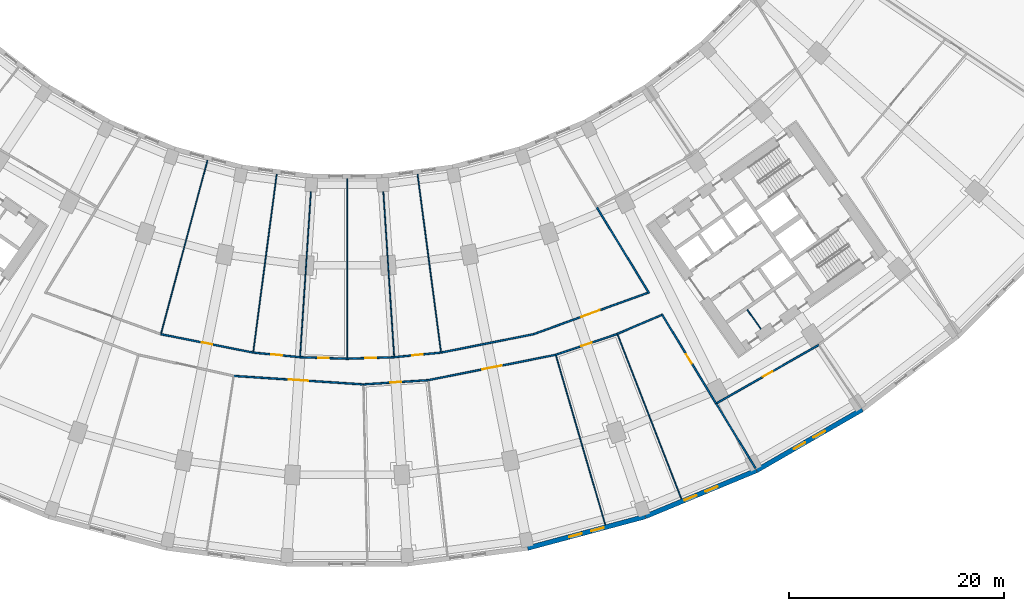
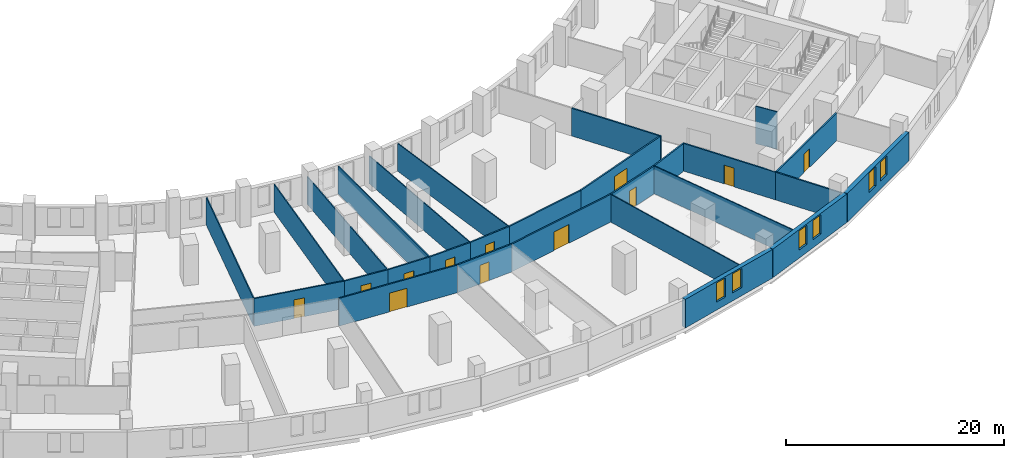
# One storey, part 9 of 19: 28 walls, 12 doors, 6 windows, 18 openings.
"""IFC4 building model written with IfcOpenShell, lengths in metres."""

from ifc_helpers import new_model, si_unit, direction, frame, frame_2d, origin, place, context, subcontext, project, spatial, rectangle, extrude, material, layer, layer_set, type_object, element, fill, save


model = new_model("IFC4")

# Units and contexts
model_context = context("Model", 3, precision=1e-05, world=origin(), true_north=direction((0.0, 1.0)))
body_context = subcontext(model_context, "Body", "Model", "MODEL_VIEW")
ifc_project = project(units=[si_unit("LENGTHUNIT", "METRE"), si_unit("AREAUNIT", "SQUARE_METRE"), si_unit("VOLUMEUNIT", "CUBIC_METRE"), si_unit("PLANEANGLEUNIT", "RADIAN"), si_unit("MASSUNIT", "GRAM", prefix="KILO")], contexts=[model_context])

# Site, building, storey
site_placement = place(None, origin())
site = spatial("IfcSite", under=ifc_project, at=site_placement, CompositionType="ELEMENT")
building_placement = place(site_placement, origin())
building = spatial("IfcBuilding", under=site, at=building_placement, Name="Qamariyya Broadcast Tower", CompositionType="ELEMENT")
storey_placement = place(building_placement, frame((0.0, 0.0, 36.0)))
storey = spatial("IfcBuildingStorey", under=building, at=storey_placement, Name="L05", CompositionType="ELEMENT", Elevation=36.0)

# Wall, opening, door
ifc_material_1 = material(Name="Gypsum board partition")
ifc_layer_1 = layer(ifc_material_1, 0.14990234375)
ifc_layer_set_1 = layer_set([ifc_layer_1], Name="Corridor partition 150 EI 60")
wall_type_1 = type_object("IfcWallType", Name="Corridor partition 150 EI 60", PredefinedType="PARTITIONING", material=ifc_layer_set_1)
wall_1_placement = place(storey_placement, frame((-17.2890625, -64.52392578125, 0.0), z_axis=(0.0, 0.0, 1.0), x_axis=(0.980786466832, -0.195084357342, 0.0)))
wall_1 = element("IfcWall", 1, at=wall_1_placement, inside=storey, type_object=wall_type_1, Name="Partition L05-024", PredefinedType="PARTITIONING", context=body_context, shape_type="SweptSolid", body=[
    extrude(rectangle(XDim=8.73779296875, YDim=0.14990234375, at=frame_2d((4.368896484375, 0.0))), origin(), (0.0, 0.0, 1.0), 3.10009765625),
])
opening_1_placement = place(wall_1_placement, frame((3.868896484375, 0.0, 0.0)))
opening_1 = element("IfcOpeningElement", 2, at=opening_1_placement, cuts=wall_1, Name="Opening L05-D09", PredefinedType="OPENING", context=body_context, shape_type="SweptSolid", body=[
    extrude(rectangle(XDim=1.0, YDim=2.10009765625, at=frame_2d((0.5, 1.050048828125))), frame((0.0, 0.0849609375, 0.0), z_axis=(0.0, -1.0, 0.0), x_axis=(1.0, 0.0, 0.0)), (0.0, 0.0, 1.0), 0.169921875),
])
ifc_material_2 = material(Name="Timber fire door leaf", Category="wood")
door_type_1 = type_object("IfcDoorType", Name="Fire door 1000 x 2100 FD60", OperationType="NOTDEFINED", PredefinedType="DOOR", material=ifc_material_2)
door_1_placement = place(opening_1_placement, origin())
door_1 = element("IfcDoor", 3, at=door_1_placement, inside=storey, type_object=door_type_1, Name="Door L05-D09", OperationType="SINGLE_SWING_RIGHT", OverallHeight=2.10009765625, OverallWidth=1.0, PredefinedType="DOOR", context=body_context, shape_type="SweptSolid", body=[
    extrude(rectangle(XDim=1.0, YDim=2.10009765625, at=frame_2d((0.5, 1.050048828125))), frame((0.0, 0.02490234375, 0.0), z_axis=(0.0, -1.0, 0.0), x_axis=(1.0, 0.0, 0.0)), (0.0, 0.0, 1.0), 0.050048828125),
])
fill(opening_1, door_1)

wall_2_placement = place(storey_placement, frame((1.511474609375, -69.18359375, 0.0), z_axis=(0.0, 0.0, 1.0), x_axis=(-0.997858140049, 0.065415077291, 0.0)))
wall_2 = element("IfcWall", 4, at=wall_2_placement, inside=storey, type_object=wall_type_1, Name="Partition L05-027", PredefinedType="PARTITIONING", context=body_context, shape_type="SweptSolid", body=[
    extrude(rectangle(XDim=12.066162109375, YDim=0.14990234375, at=frame_2d((6.033203125, 0.0))), origin(), (0.0, 0.0, 1.0), 3.10009765625),
])
opening_2_placement = place(wall_2_placement, frame((5.133056640625, 0.0, 0.0)))
opening_2 = element("IfcOpeningElement", 5, at=opening_2_placement, cuts=wall_2, Name="Opening L05-D03", PredefinedType="OPENING", context=body_context, shape_type="SweptSolid", body=[
    extrude(rectangle(XDim=1.800048828125, YDim=2.10009765625, at=frame_2d((0.89990234375, 1.050048828125))), frame((0.0, 0.0849609375, 0.0), z_axis=(0.0, -1.0, 0.0), x_axis=(1.0, 0.0, 0.0)), (0.0, 0.0, 1.0), 0.169921875),
])
door_type_2 = type_object("IfcDoorType", Name="Double fire door 1800 x 2100 FD60", OperationType="NOTDEFINED", PredefinedType="DOOR", material=ifc_material_2)
door_2_placement = place(opening_2_placement, origin())
door_2 = element("IfcDoor", 6, at=door_2_placement, inside=storey, type_object=door_type_2, Name="Door L05-D03", OperationType="DOUBLE_DOOR_SINGLE_SWING", OverallHeight=2.10009765625, OverallWidth=1.800048828125, PredefinedType="DOOR", context=body_context, shape_type="SweptSolid", body=[
    extrude(rectangle(XDim=1.800048828125, YDim=2.10009765625, at=frame_2d((0.89990234375, 1.050048828125))), frame((0.0, 0.02490234375, 0.0), z_axis=(0.0, -1.0, 0.0), x_axis=(1.0, 0.0, 0.0)), (0.0, 0.0, 1.0), 0.050048828125),
])
fill(opening_2, door_2)

wall_3_placement = place(storey_placement, frame((-8.71923828125, -66.228515625, 0.0), z_axis=(0.0, 0.0, 1.0), x_axis=(0.995184826457, -0.098016127192, 0.0)))
wall_3 = element("IfcWall", 7, at=wall_3_placement, inside=storey, type_object=wall_type_1, Name="Partition L05-028", PredefinedType="PARTITIONING", context=body_context, shape_type="SweptSolid", body=[
    extrude(rectangle(XDim=4.371337890625, YDim=0.14990234375, at=frame_2d((2.185546875, 0.0))), origin(), (0.0, 0.0, 1.0), 3.10009765625),
])
opening_3_placement = place(wall_3_placement, frame((1.685546875, 0.0, 0.0)))
opening_3 = element("IfcOpeningElement", 8, at=opening_3_placement, cuts=wall_3, Name="Opening L05-D10", PredefinedType="OPENING", context=body_context, shape_type="SweptSolid", body=[
    extrude(rectangle(XDim=1.0, YDim=2.10009765625, at=frame_2d((0.5, 1.050048828125))), frame((0.0, 0.0849609375, 0.0), z_axis=(0.0, -1.0, 0.0), x_axis=(1.0, 0.0, 0.0)), (0.0, 0.0, 1.0), 0.169921875),
])
door_3_placement = place(opening_3_placement, origin())
door_3 = element("IfcDoor", 9, at=door_3_placement, inside=storey, type_object=door_type_1, Name="Door L05-D10", OperationType="SINGLE_SWING_RIGHT", OverallHeight=2.10009765625, OverallWidth=1.0, PredefinedType="DOOR", context=body_context, shape_type="SweptSolid", body=[
    extrude(rectangle(XDim=1.0, YDim=2.10009765625, at=frame_2d((0.5, 1.050048828125))), frame((0.0, 0.02490234375, 0.0), z_axis=(0.0, -1.0, 0.0), x_axis=(1.0, 0.0, 0.0)), (0.0, 0.0, 1.0), 0.050048828125),
])
fill(opening_3, door_3)

wall_4_placement = place(storey_placement, frame((-4.368896484375, -66.656982421875, 0.0), z_axis=(0.0, 0.0, 1.0), x_axis=(0.99946426167, -0.03272903366, 0.0)))
wall_4 = element("IfcWall", 10, at=wall_4_placement, inside=storey, type_object=wall_type_1, Name="Partition L05-030", PredefinedType="PARTITIONING", context=body_context, shape_type="SweptSolid", body=[
    extrude(rectangle(XDim=4.371337890625, YDim=0.14990234375, at=frame_2d((2.185546875, 0.0))), origin(), (0.0, 0.0, 1.0), 3.10009765625),
])
opening_4_placement = place(wall_4_placement, frame((1.685546875, 0.0, 0.0)))
opening_4 = element("IfcOpeningElement", 11, at=opening_4_placement, cuts=wall_4, Name="Opening L05-D11", PredefinedType="OPENING", context=body_context, shape_type="SweptSolid", body=[
    extrude(rectangle(XDim=1.0, YDim=2.10009765625, at=frame_2d((0.5, 1.050048828125))), frame((0.0, 0.0849609375, 0.0), z_axis=(0.0, -1.0, 0.0), x_axis=(1.0, 0.0, 0.0)), (0.0, 0.0, 1.0), 0.169921875),
])
door_4_placement = place(opening_4_placement, origin())
door_4 = element("IfcDoor", 12, at=door_4_placement, inside=storey, type_object=door_type_1, Name="Door L05-D11", OperationType="SINGLE_SWING_RIGHT", OverallHeight=2.10009765625, OverallWidth=1.0, PredefinedType="DOOR", context=body_context, shape_type="SweptSolid", body=[
    extrude(rectangle(XDim=1.0, YDim=2.10009765625, at=frame_2d((0.5, 1.050048828125))), frame((0.0, 0.02490234375, 0.0), z_axis=(0.0, -1.0, 0.0), x_axis=(1.0, 0.0, 0.0)), (0.0, 0.0, 1.0), 0.050048828125),
])
fill(opening_4, door_4)

wall_5_placement = place(storey_placement, frame((0.0, -66.800048828125, 0.0), z_axis=(0.0, 0.0, 1.0), x_axis=(0.99946426167, 0.03272903366, 0.0)))
wall_5 = element("IfcWall", 13, at=wall_5_placement, inside=storey, type_object=wall_type_1, Name="Partition L05-032", PredefinedType="PARTITIONING", context=body_context, shape_type="SweptSolid", body=[
    extrude(rectangle(XDim=4.371337890625, YDim=0.14990234375, at=frame_2d((2.185546875, 0.0))), origin(), (0.0, 0.0, 1.0), 3.10009765625),
])
opening_5_placement = place(wall_5_placement, frame((1.685546875, 0.0, 0.0)))
opening_5 = element("IfcOpeningElement", 14, at=opening_5_placement, cuts=wall_5, Name="Opening L05-D12", PredefinedType="OPENING", context=body_context, shape_type="SweptSolid", body=[
    extrude(rectangle(XDim=1.0, YDim=2.10009765625, at=frame_2d((0.5, 1.050048828125))), frame((0.0, 0.0849609375, 0.0), z_axis=(0.0, -1.0, 0.0), x_axis=(1.0, 0.0, 0.0)), (0.0, 0.0, 1.0), 0.169921875),
])
door_5_placement = place(opening_5_placement, origin())
door_5 = element("IfcDoor", 15, at=door_5_placement, inside=storey, type_object=door_type_1, Name="Door L05-D12", OperationType="SINGLE_SWING_RIGHT", OverallHeight=2.10009765625, OverallWidth=1.0, PredefinedType="DOOR", context=body_context, shape_type="SweptSolid", body=[
    extrude(rectangle(XDim=1.0, YDim=2.10009765625, at=frame_2d((0.5, 1.050048828125))), frame((0.0, 0.02490234375, 0.0), z_axis=(0.0, -1.0, 0.0), x_axis=(1.0, 0.0, 0.0)), (0.0, 0.0, 1.0), 0.050048828125),
])
fill(opening_5, door_5)

wall_6_placement = place(storey_placement, frame((7.53173828125, -68.788818359375, 0.0), z_axis=(0.0, 0.0, 1.0), x_axis=(-0.997856905736, -0.065433903101, 0.0)))
wall_6 = element("IfcWall", 16, at=wall_6_placement, inside=storey, type_object=wall_type_1, Name="Partition L05-034", PredefinedType="PARTITIONING", context=body_context, shape_type="SweptSolid", body=[
    extrude(rectangle(XDim=6.033203125, YDim=0.14990234375, at=frame_2d((3.0166015625, 0.0))), origin(), (0.0, 0.0, 1.0), 3.10009765625),
])
opening_6_placement = place(wall_6_placement, frame((2.5166015625, 0.0, 0.0)))
opening_6 = element("IfcOpeningElement", 17, at=opening_6_placement, cuts=wall_6, Name="Opening L05-D04", PredefinedType="OPENING", context=body_context, shape_type="SweptSolid", body=[
    extrude(rectangle(XDim=1.0, YDim=2.10009765625, at=frame_2d((0.5, 1.050048828125))), frame((0.0, 0.0849609375, 0.0), z_axis=(0.0, -1.0, 0.0), x_axis=(1.0, 0.0, 0.0)), (0.0, 0.0, 1.0), 0.169921875),
])
door_6_placement = place(opening_6_placement, origin())
door_6 = element("IfcDoor", 18, at=door_6_placement, inside=storey, type_object=door_type_1, Name="Door L05-D04", OperationType="SINGLE_SWING_RIGHT", OverallHeight=2.10009765625, OverallWidth=1.0, PredefinedType="DOOR", context=body_context, shape_type="SweptSolid", body=[
    extrude(rectangle(XDim=1.0, YDim=2.10009765625, at=frame_2d((0.5, 1.050048828125))), frame((0.0, 0.02490234375, 0.0), z_axis=(0.0, -1.0, 0.0), x_axis=(1.0, 0.0, 0.0)), (0.0, 0.0, 1.0), 0.050048828125),
])
fill(opening_6, door_6)

wall_7_placement = place(storey_placement, frame((4.368896484375, -66.656982421875, 0.0), z_axis=(0.0, 0.0, 1.0), x_axis=(0.995184826457, 0.098016127192, 0.0)))
wall_7 = element("IfcWall", 19, at=wall_7_placement, inside=storey, type_object=wall_type_1, Name="Partition L05-037", PredefinedType="PARTITIONING", context=body_context, shape_type="SweptSolid", body=[
    extrude(rectangle(XDim=4.371337890625, YDim=0.14990234375, at=frame_2d((2.185546875, 0.0))), origin(), (0.0, 0.0, 1.0), 3.10009765625),
])
opening_7_placement = place(wall_7_placement, frame((1.685546875, 0.0, 0.0)))
opening_7 = element("IfcOpeningElement", 20, at=opening_7_placement, cuts=wall_7, Name="Opening L05-D13", PredefinedType="OPENING", context=body_context, shape_type="SweptSolid", body=[
    extrude(rectangle(XDim=1.0, YDim=2.10009765625, at=frame_2d((0.5, 1.050048828125))), frame((0.0, 0.0849609375, 0.0), z_axis=(0.0, -1.0, 0.0), x_axis=(1.0, 0.0, 0.0)), (0.0, 0.0, 1.0), 0.169921875),
])
door_7_placement = place(opening_7_placement, origin())
door_7 = element("IfcDoor", 21, at=door_7_placement, inside=storey, type_object=door_type_1, Name="Door L05-D13", OperationType="SINGLE_SWING_RIGHT", OverallHeight=2.10009765625, OverallWidth=1.0, PredefinedType="DOOR", context=body_context, shape_type="SweptSolid", body=[
    extrude(rectangle(XDim=1.0, YDim=2.10009765625, at=frame_2d((0.5, 1.050048828125))), frame((0.0, 0.02490234375, 0.0), z_axis=(0.0, -1.0, 0.0), x_axis=(1.0, 0.0, 0.0)), (0.0, 0.0, 1.0), 0.050048828125),
])
fill(opening_7, door_7)

wall_8_placement = place(storey_placement, frame((19.365966796875, -66.434814453125, 0.0), z_axis=(0.0, 0.0, 1.0), x_axis=(-0.980784812657, -0.195092673522, 0.0)))
wall_8 = element("IfcWall", 22, at=wall_8_placement, inside=storey, type_object=wall_type_1, Name="Partition L05-039", PredefinedType="PARTITIONING", context=body_context, shape_type="SweptSolid", body=[
    extrude(rectangle(XDim=12.066162109375, YDim=0.14990234375, at=frame_2d((6.033203125, 0.0))), origin(), (0.0, 0.0, 1.0), 3.10009765625),
])
opening_8_placement = place(wall_8_placement, frame((5.133056640625, 0.0, 0.0)))
opening_8 = element("IfcOpeningElement", 23, at=opening_8_placement, cuts=wall_8, Name="Opening L05-D05", PredefinedType="OPENING", context=body_context, shape_type="SweptSolid", body=[
    extrude(rectangle(XDim=1.800048828125, YDim=2.10009765625, at=frame_2d((0.89990234375, 1.050048828125))), frame((0.0, 0.0849609375, 0.0), z_axis=(0.0, -1.0, 0.0), x_axis=(1.0, 0.0, 0.0)), (0.0, 0.0, 1.0), 0.169921875),
])
door_8_placement = place(opening_8_placement, origin())
door_8 = element("IfcDoor", 24, at=door_8_placement, inside=storey, type_object=door_type_2, Name="Door L05-D05", OperationType="DOUBLE_DOOR_SINGLE_SWING", OverallHeight=2.10009765625, OverallWidth=1.800048828125, PredefinedType="DOOR", context=body_context, shape_type="SweptSolid", body=[
    extrude(rectangle(XDim=1.800048828125, YDim=2.10009765625, at=frame_2d((0.89990234375, 1.050048828125))), frame((0.0, 0.02490234375, 0.0), z_axis=(0.0, -1.0, 0.0), x_axis=(1.0, 0.0, 0.0)), (0.0, 0.0, 1.0), 0.050048828125),
])
fill(opening_8, door_8)

# Wall
wall_9_placement = place(storey_placement, frame((8.71923828125, -66.228515625, 0.0), z_axis=(0.0, 0.0, 1.0), x_axis=(0.98078667173, 0.195083327211, 0.0)))
element("IfcWall", 25, at=wall_9_placement, inside=storey, type_object=wall_type_1, Name="Partition L05-040", PredefinedType="PARTITIONING", context=body_context, shape_type="SweptSolid", body=[
    extrude(rectangle(XDim=8.72900390625, YDim=0.14990234375, at=frame_2d((4.364501953125, 0.0))), origin(), (0.0, 0.0, 1.0), 3.10009765625),
])

# Wall, opening, door
wall_10_placement = place(storey_placement, frame((17.29736328125, -64.52099609375, 0.0), z_axis=(0.0, 0.0, 1.0), x_axis=(0.940366959124, 0.340161700061, 0.0)))
wall_10 = element("IfcWall", 26, at=wall_10_placement, inside=storey, type_object=wall_type_1, Name="Partition L05-042", PredefinedType="PARTITIONING", context=body_context, shape_type="SweptSolid", body=[
    extrude(rectangle(XDim=11.296142578125, YDim=0.14990234375, at=frame_2d((5.64794921875, 0.0))), origin(), (0.0, 0.0, 1.0), 3.10009765625),
])
opening_9_placement = place(wall_10_placement, frame((4.748291015625, 0.0, 0.0)))
opening_9 = element("IfcOpeningElement", 27, at=opening_9_placement, cuts=wall_10, Name="Opening L05-D14", PredefinedType="OPENING", context=body_context, shape_type="SweptSolid", body=[
    extrude(rectangle(XDim=1.800048828125, YDim=2.10009765625, at=frame_2d((0.89990234375, 1.050048828125))), frame((0.0, 0.0849609375, 0.0), z_axis=(0.0, -1.0, 0.0), x_axis=(1.0, 0.0, 0.0)), (0.0, 0.0, 1.0), 0.169921875),
])
door_9_placement = place(opening_9_placement, origin())
door_9 = element("IfcDoor", 28, at=door_9_placement, inside=storey, type_object=door_type_2, Name="Door L05-D14", OperationType="DOUBLE_DOOR_SINGLE_SWING", OverallHeight=2.10009765625, OverallWidth=1.800048828125, PredefinedType="DOOR", context=body_context, shape_type="SweptSolid", body=[
    extrude(rectangle(XDim=1.800048828125, YDim=2.10009765625, at=frame_2d((0.89990234375, 1.050048828125))), frame((0.0, 0.02490234375, 0.0), z_axis=(0.0, -1.0, 0.0), x_axis=(1.0, 0.0, 0.0)), (0.0, 0.0, 1.0), 0.050048828125),
])
fill(opening_9, door_9)

wall_11_placement = place(storey_placement, frame((25.078857421875, -64.49560546875, 0.0), z_axis=(0.0, 0.0, 1.0), x_axis=(-0.94693295825, -0.321431131939, 0.0)))
wall_11 = element("IfcWall", 29, at=wall_11_placement, inside=storey, type_object=wall_type_1, Name="Partition L05-044", PredefinedType="PARTITIONING", context=body_context, shape_type="SweptSolid", body=[
    extrude(rectangle(XDim=6.032958984375, YDim=0.14990234375, at=frame_2d((3.0166015625, 0.0))), origin(), (0.0, 0.0, 1.0), 3.10009765625),
])
opening_10_placement = place(wall_11_placement, frame((2.5166015625, 0.0, 0.0)))
opening_10 = element("IfcOpeningElement", 30, at=opening_10_placement, cuts=wall_11, Name="Opening L05-D06", PredefinedType="OPENING", context=body_context, shape_type="SweptSolid", body=[
    extrude(rectangle(XDim=1.0, YDim=2.10009765625, at=frame_2d((0.5, 1.050048828125))), frame((0.0, 0.0849609375, 0.0), z_axis=(0.0, -1.0, 0.0), x_axis=(1.0, 0.0, 0.0)), (0.0, 0.0, 1.0), 0.169921875),
])
door_10_placement = place(opening_10_placement, origin())
door_10 = element("IfcDoor", 31, at=door_10_placement, inside=storey, type_object=door_type_1, Name="Door L05-D06", OperationType="SINGLE_SWING_RIGHT", OverallHeight=2.10009765625, OverallWidth=1.0, PredefinedType="DOOR", context=body_context, shape_type="SweptSolid", body=[
    extrude(rectangle(XDim=1.0, YDim=2.10009765625, at=frame_2d((0.5, 1.050048828125))), frame((0.0, 0.02490234375, 0.0), z_axis=(0.0, -1.0, 0.0), x_axis=(1.0, 0.0, 0.0)), (0.0, 0.0, 1.0), 0.050048828125),
])
fill(opening_10, door_10)

# Walls
wall_12_placement = place(storey_placement, frame((23.174072265625, -52.732421875, 0.0), z_axis=(0.0, 0.0, 1.0), x_axis=(0.519577254173, -0.854423476355, 0.0)))
element("IfcWall", 32, at=wall_12_placement, inside=storey, type_object=wall_type_1, Name="Partition L05-045", PredefinedType="PARTITIONING", context=body_context, shape_type="SweptSolid", body=[
    extrude(rectangle(XDim=9.344970703125, YDim=0.14990234375, at=frame_2d((4.67236328125, 0.0))), origin(), (0.0, 0.0, 1.0), 3.10009765625),
])
wall_13_placement = place(storey_placement, frame((25.078857421875, -64.49560546875, 0.0), z_axis=(0.0, 0.0, 1.0), x_axis=(0.91966288709, 0.392708765001, 0.0)))
element("IfcWall", 33, at=wall_13_placement, inside=storey, type_object=wall_type_1, Name="Partition L05-048", PredefinedType="PARTITIONING", context=body_context, shape_type="SweptSolid", body=[
    extrude(rectangle(XDim=4.45556640625, YDim=0.14990234375, at=frame_2d((2.227783203125, 0.0))), origin(), (0.0, 0.0, 1.0), 3.10009765625),
])

# Wall, opening, door
wall_14_placement = place(storey_placement, frame((34.260009765625, -70.962646484375, 0.0), z_axis=(0.0, 0.0, 1.0), x_axis=(-0.519573423316, 0.854425805897, 0.0)))
wall_14 = element("IfcWall", 34, at=wall_14_placement, inside=storey, type_object=wall_type_1, Name="Partition L05-050", PredefinedType="PARTITIONING", context=body_context, shape_type="SweptSolid", body=[
    extrude(rectangle(XDim=9.72607421875, YDim=0.14990234375, at=frame_2d((4.863037109375, 0.0))), origin(), (0.0, 0.0, 1.0), 3.10009765625),
])
opening_11_placement = place(wall_14_placement, frame((4.363037109375, 0.0, 0.0)))
opening_11 = element("IfcOpeningElement", 35, at=opening_11_placement, cuts=wall_14, Name="Opening L05-D07", PredefinedType="OPENING", context=body_context, shape_type="SweptSolid", body=[
    extrude(rectangle(XDim=1.0, YDim=2.10009765625, at=frame_2d((0.5, 1.050048828125))), frame((0.0, 0.0849609375, 0.0), z_axis=(0.0, -1.0, 0.0), x_axis=(1.0, 0.0, 0.0)), (0.0, 0.0, 1.0), 0.169921875),
])
door_11_placement = place(opening_11_placement, origin())
door_11 = element("IfcDoor", 36, at=door_11_placement, inside=storey, type_object=door_type_1, Name="Door L05-D07", OperationType="SINGLE_SWING_RIGHT", OverallHeight=2.10009765625, OverallWidth=1.0, PredefinedType="DOOR", context=body_context, shape_type="SweptSolid", body=[
    extrude(rectangle(XDim=1.0, YDim=2.10009765625, at=frame_2d((0.5, 1.050048828125))), frame((0.0, 0.02490234375, 0.0), z_axis=(0.0, -1.0, 0.0), x_axis=(1.0, 0.0, 0.0)), (0.0, 0.0, 1.0), 0.050048828125),
])
fill(opening_11, door_11)

# Wall
wall_15_placement = place(storey_placement, frame((34.260009765625, -70.962646484375, 0.0), z_axis=(0.0, 0.0, 1.0), x_axis=(0.519582317334, -0.854420397412, 0.0)))
element("IfcWall", 37, at=wall_15_placement, inside=storey, type_object=wall_type_1, Name="Partition L05-053", PredefinedType="PARTITIONING", context=body_context, shape_type="SweptSolid", body=[
    extrude(rectangle(XDim=7.03173828125, YDim=0.14990234375, at=frame_2d((3.515869140625, 0.0))), origin(), (0.0, 0.0, 1.0), 3.10009765625),
])

# Wall, opening, door
wall_16_placement = place(storey_placement, frame((43.779052734375, -65.519775390625, 0.0), z_axis=(0.0, 0.0, 1.0), x_axis=(-0.868112049759, -0.496368279671, 0.0)))
wall_16 = element("IfcWall", 38, at=wall_16_placement, inside=storey, type_object=wall_type_1, Name="Partition L05-054", PredefinedType="PARTITIONING", context=body_context, shape_type="SweptSolid", body=[
    extrude(rectangle(XDim=10.89013671875, YDim=0.14990234375, at=frame_2d((5.445068359375, 0.0))), origin(), (0.0, 0.0, 1.0), 3.10009765625),
])
opening_12_placement = place(wall_16_placement, frame((4.945068359375, 0.0, 0.0)))
opening_12 = element("IfcOpeningElement", 39, at=opening_12_placement, cuts=wall_16, Name="Opening L05-D24", PredefinedType="OPENING", context=body_context, shape_type="SweptSolid", body=[
    extrude(rectangle(XDim=1.0, YDim=2.10009765625, at=frame_2d((0.5, 1.050048828125))), frame((0.0, 0.0849609375, 0.0), z_axis=(0.0, -1.0, 0.0), x_axis=(1.0, 0.0, 0.0)), (0.0, 0.0, 1.0), 0.169921875),
])
door_12_placement = place(opening_12_placement, origin())
door_12 = element("IfcDoor", 40, at=door_12_placement, inside=storey, type_object=door_type_1, Name="Door L05-D24", OperationType="SINGLE_SWING_RIGHT", OverallHeight=2.10009765625, OverallWidth=1.0, PredefinedType="DOOR", context=body_context, shape_type="SweptSolid", body=[
    extrude(rectangle(XDim=1.0, YDim=2.10009765625, at=frame_2d((0.5, 1.050048828125))), frame((0.0, 0.02490234375, 0.0), z_axis=(0.0, -1.0, 0.0), x_axis=(1.0, 0.0, 0.0)), (0.0, 0.0, 1.0), 0.050048828125),
])
fill(opening_12, door_12)

# Walls
ifc_layer_2 = layer(ifc_material_1, 0.10009765625)
ifc_layer_set_2 = layer_set([ifc_layer_2], Name="Partition 100")
wall_type_2 = type_object("IfcWallType", Name="Partition 100", PredefinedType="PARTITIONING", material=ifc_layer_set_2)
wall_17_placement = place(storey_placement, frame((-12.965087890625, -48.386474609375, 0.0), z_axis=(0.0, 0.0, 1.0), x_axis=(-0.258824622624, -0.965924331779, 0.0)))
element("IfcWall", 41, at=wall_17_placement, inside=storey, type_object=wall_type_2, Name="Partition L05-026", PredefinedType="PARTITIONING", context=body_context, shape_type="SweptSolid", body=[
    extrude(rectangle(XDim=16.631591796875, YDim=0.10009765625, at=frame_2d((8.31591796875, 0.0))), origin(), (0.0, 0.0, 1.0), 3.10009765625),
])
wall_18_placement = place(storey_placement, frame((-6.53857421875, -49.6650390625, 0.0), z_axis=(0.0, 0.0, 1.0), x_axis=(-0.130530838014, -0.991444249732, 0.0)))
element("IfcWall", 42, at=wall_18_placement, inside=storey, type_object=wall_type_2, Name="Partition L05-029", PredefinedType="PARTITIONING", context=body_context, shape_type="SweptSolid", body=[
    extrude(rectangle(XDim=16.63134765625, YDim=0.10009765625, at=frame_2d((8.315673828125, 0.0))), origin(), (0.0, 0.0, 1.0), 3.10009765625),
])
wall_19_placement = place(storey_placement, frame((-3.283203125, -50.092529296875, 0.0), z_axis=(0.0, 0.0, 1.0), x_axis=(-0.065405026615, -0.997858798876, 0.0)))
element("IfcWall", 43, at=wall_19_placement, inside=storey, type_object=wall_type_2, Name="Partition L05-031", PredefinedType="PARTITIONING", context=body_context, shape_type="SweptSolid", body=[
    extrude(rectangle(XDim=16.52490234375, YDim=0.10009765625, at=frame_2d((8.262451171875, 0.0))), origin(), (0.0, 0.0, 1.0), 3.10009765625),
])
wall_20_placement = place(storey_placement, frame((0.0, -50.093505859375, 0.0), z_axis=(0.0, 0.0, 1.0), x_axis=(0.0, -1.0, 0.0)))
element("IfcWall", 44, at=wall_20_placement, inside=storey, type_object=wall_type_2, Name="Partition L05-033", PredefinedType="PARTITIONING", context=body_context, shape_type="SweptSolid", body=[
    extrude(rectangle(XDim=16.631591796875, YDim=0.10009765625, at=frame_2d((8.31591796875, 0.0))), origin(), (0.0, 0.0, 1.0), 3.10009765625),
])
wall_21_placement = place(storey_placement, frame((3.283203125, -50.092529296875, 0.0), z_axis=(0.0, 0.0, 1.0), x_axis=(0.065405026615, -0.997858798876, 0.0)))
element("IfcWall", 45, at=wall_21_placement, inside=storey, type_object=wall_type_2, Name="Partition L05-036", PredefinedType="PARTITIONING", context=body_context, shape_type="SweptSolid", body=[
    extrude(rectangle(XDim=16.52490234375, YDim=0.10009765625, at=frame_2d((8.262451171875, 0.0))), origin(), (0.0, 0.0, 1.0), 3.10009765625),
])
wall_22_placement = place(storey_placement, frame((6.53857421875, -49.6650390625, 0.0), z_axis=(0.0, 0.0, 1.0), x_axis=(0.130530838014, -0.991444249732, 0.0)))
element("IfcWall", 46, at=wall_22_placement, inside=storey, type_object=wall_type_2, Name="Partition L05-038", PredefinedType="PARTITIONING", context=body_context, shape_type="SweptSolid", body=[
    extrude(rectangle(XDim=16.63134765625, YDim=0.10009765625, at=frame_2d((8.315673828125, 0.0))), origin(), (0.0, 0.0, 1.0), 3.10009765625),
])
wall_23_placement = place(storey_placement, frame((23.965576171875, -82.214111328125, 0.0), z_axis=(0.0, 0.0, 1.0), x_axis=(-0.279849295153, 0.960043942746, 0.0)))
element("IfcWall", 47, at=wall_23_placement, inside=storey, type_object=wall_type_2, Name="Partition L05-047", PredefinedType="PARTITIONING", context=body_context, shape_type="SweptSolid", body=[
    extrude(rectangle(XDim=16.361083984375, YDim=0.10009765625, at=frame_2d((8.1806640625, 0.0))), origin(), (0.0, 0.0, 1.0), 3.10009765625),
])
wall_24_placement = place(storey_placement, frame((31.035400390625, -79.814208984375, 0.0), z_axis=(0.0, 0.0, 1.0), x_axis=(-0.362399453939, 0.932022872995, 0.0)))
element("IfcWall", 48, at=wall_24_placement, inside=storey, type_object=wall_type_2, Name="Partition L05-051", PredefinedType="PARTITIONING", context=body_context, shape_type="SweptSolid", body=[
    extrude(rectangle(XDim=16.36083984375, YDim=0.10009765625, at=frame_2d((8.180419921875, 0.0))), origin(), (0.0, 0.0, 1.0), 3.10009765625),
])

# Wall, openings, windows
ifc_material_3 = material(Name="Precast concrete C40/50 with terracotta facing", Category="masonry")
ifc_layer_3 = layer(ifc_material_3, 0.449951171875)
ifc_layer_set_3 = layer_set([ifc_layer_3], Name="Precast concrete C40/50 wall 450, terracotta faced")
wall_type_3 = type_object("IfcWallType", Name="Precast concrete C40/50 wall 450, terracotta faced", PredefinedType="SOLIDWALL", material=ifc_layer_set_3)
wall_25_placement = place(storey_placement, frame((16.753662109375, -84.37939453125, 0.0), z_axis=(0.0, 0.0, 1.0), x_axis=(0.965923678926, 0.258827059038, 0.0)))
wall_25 = element("IfcWall", 49, at=wall_25_placement, inside=storey, type_object=wall_type_3, Name="e-wl-L05-out120", PredefinedType="SOLIDWALL", context=body_context, shape_type="SweptSolid", body=[
    extrude(rectangle(XDim=11.3125, YDim=0.449951171875, at=frame_2d((5.65625, 0.0))), origin(), (0.0, 0.0, 1.0), 3.199951171875),
])
opening_13_placement = place(wall_25_placement, frame((4.00634765625, 0.0, 0.89990234375)))
opening_13 = element("IfcOpeningElement", 50, at=opening_13_placement, cuts=wall_25, Name="Opening W3", PredefinedType="OPENING", context=body_context, shape_type="SweptSolid", body=[
    extrude(rectangle(XDim=1.199951171875, YDim=2.14990234375, at=frame_2d((0.60009765625, 1.074951171875))), frame((0.0, 0.23486328125, 0.0), z_axis=(0.0, -1.0, 0.0), x_axis=(1.0, 0.0, 0.0)), (0.0, 0.0, 1.0), 0.469970703125),
])
opening_14_placement = place(wall_25_placement, frame((6.106201171875, 0.0, 0.89990234375)))
opening_14 = element("IfcOpeningElement", 51, at=opening_14_placement, cuts=wall_25, Name="Opening W3", PredefinedType="OPENING", context=body_context, shape_type="SweptSolid", body=[
    extrude(rectangle(XDim=1.199951171875, YDim=2.14990234375, at=frame_2d((0.60009765625, 1.074951171875))), frame((0.0, 0.23486328125, 0.0), z_axis=(0.0, -1.0, 0.0), x_axis=(1.0, 0.0, 0.0)), (0.0, 0.0, 1.0), 0.469970703125),
])
ifc_material_4 = material(Name="Clear low-e double glazed unit in aluminium frame", Category="aluminium")
window_type = type_object("IfcWindowType", Name="Podium window 1200 x 2150", PartitioningType="SINGLE_PANEL", PredefinedType="WINDOW", material=ifc_material_4)
window_1_placement = place(opening_13_placement, origin())
window_1 = element("IfcWindow", 52, at=window_1_placement, inside=storey, type_object=window_type, Name="e-w-L05-out12a", OverallHeight=2.14990234375, OverallWidth=1.199951171875, PartitioningType="SINGLE_PANEL", PredefinedType="WINDOW", context=body_context, shape_type="SweptSolid", body=[
    extrude(rectangle(XDim=1.199951171875, YDim=2.14990234375, at=frame_2d((0.60009765625, 1.074951171875))), frame((0.0, 0.030029296875, 0.0), z_axis=(0.0, -1.0, 0.0), x_axis=(1.0, 0.0, 0.0)), (0.0, 0.0, 1.0), 0.06005859375),
])
fill(opening_13, window_1)
window_2_placement = place(opening_14_placement, origin())
window_2 = element("IfcWindow", 53, at=window_2_placement, inside=storey, type_object=window_type, Name="e-w-L05-out12b", OverallHeight=2.14990234375, OverallWidth=1.199951171875, PartitioningType="SINGLE_PANEL", PredefinedType="WINDOW", context=body_context, shape_type="SweptSolid", body=[
    extrude(rectangle(XDim=1.199951171875, YDim=2.14990234375, at=frame_2d((0.60009765625, 1.074951171875))), frame((0.0, 0.030029296875, 0.0), z_axis=(0.0, -1.0, 0.0), x_axis=(1.0, 0.0, 0.0)), (0.0, 0.0, 1.0), 0.06005859375),
])
fill(opening_14, window_2)

wall_26_placement = place(storey_placement, frame((27.7060546875, -81.436767578125, 0.0), z_axis=(0.0, 0.0, 1.0), x_axis=(0.923874126662, 0.382696482978, 0.0)))
wall_26 = element("IfcWall", 54, at=wall_26_placement, inside=storey, type_object=wall_type_3, Name="e-wl-L05-out130", PredefinedType="SOLIDWALL", context=body_context, shape_type="SweptSolid", body=[
    extrude(rectangle(XDim=11.134765625, YDim=0.449951171875, at=frame_2d((5.5673828125, 0.0))), origin(), (0.0, 0.0, 1.0), 3.199951171875),
])
opening_15_placement = place(wall_26_placement, frame((3.917236328125, 0.0, 0.89990234375)))
opening_15 = element("IfcOpeningElement", 55, at=opening_15_placement, cuts=wall_26, Name="Opening W3", PredefinedType="OPENING", context=body_context, shape_type="SweptSolid", body=[
    extrude(rectangle(XDim=1.199951171875, YDim=2.14990234375, at=frame_2d((0.60009765625, 1.074951171875))), frame((0.0, 0.23486328125, 0.0), z_axis=(0.0, -1.0, 0.0), x_axis=(1.0, 0.0, 0.0)), (0.0, 0.0, 1.0), 0.469970703125),
])
opening_16_placement = place(wall_26_placement, frame((6.017333984375, 0.0, 0.89990234375)))
opening_16 = element("IfcOpeningElement", 56, at=opening_16_placement, cuts=wall_26, Name="Opening W3", PredefinedType="OPENING", context=body_context, shape_type="SweptSolid", body=[
    extrude(rectangle(XDim=1.199951171875, YDim=2.14990234375, at=frame_2d((0.60009765625, 1.074951171875))), frame((0.0, 0.23486328125, 0.0), z_axis=(0.0, -1.0, 0.0), x_axis=(1.0, 0.0, 0.0)), (0.0, 0.0, 1.0), 0.469970703125),
])
window_3_placement = place(opening_15_placement, origin())
window_3 = element("IfcWindow", 57, at=window_3_placement, inside=storey, type_object=window_type, Name="e-w-L05-out13a", OverallHeight=2.14990234375, OverallWidth=1.199951171875, PartitioningType="SINGLE_PANEL", PredefinedType="WINDOW", context=body_context, shape_type="SweptSolid", body=[
    extrude(rectangle(XDim=1.199951171875, YDim=2.14990234375, at=frame_2d((0.60009765625, 1.074951171875))), frame((0.0, 0.030029296875, 0.0), z_axis=(0.0, -1.0, 0.0), x_axis=(1.0, 0.0, 0.0)), (0.0, 0.0, 1.0), 0.06005859375),
])
fill(opening_15, window_3)
window_4_placement = place(opening_16_placement, origin())
window_4 = element("IfcWindow", 58, at=window_4_placement, inside=storey, type_object=window_type, Name="e-w-L05-out13b", OverallHeight=2.14990234375, OverallWidth=1.199951171875, PartitioningType="SINGLE_PANEL", PredefinedType="WINDOW", context=body_context, shape_type="SweptSolid", body=[
    extrude(rectangle(XDim=1.199951171875, YDim=2.14990234375, at=frame_2d((0.60009765625, 1.074951171875))), frame((0.0, 0.030029296875, 0.0), z_axis=(0.0, -1.0, 0.0), x_axis=(1.0, 0.0, 0.0)), (0.0, 0.0, 1.0), 0.06005859375),
])
fill(opening_16, window_4)

wall_27_placement = place(storey_placement, frame((38.021728515625, -77.16796875, 0.0), z_axis=(0.0, 0.0, 1.0), x_axis=(0.866024577697, 0.500001430823, 0.0)))
wall_27 = element("IfcWall", 59, at=wall_27_placement, inside=storey, type_object=wall_type_3, Name="e-wl-L05-out140", PredefinedType="SOLIDWALL", context=body_context, shape_type="SweptSolid", body=[
    extrude(rectangle(XDim=11.3125, YDim=0.449951171875, at=frame_2d((5.65625, 0.0))), origin(), (0.0, 0.0, 1.0), 3.199951171875),
])
opening_17_placement = place(wall_27_placement, frame((4.00634765625, 0.0, 0.89990234375)))
opening_17 = element("IfcOpeningElement", 60, at=opening_17_placement, cuts=wall_27, Name="Opening W3", PredefinedType="OPENING", context=body_context, shape_type="SweptSolid", body=[
    extrude(rectangle(XDim=1.199951171875, YDim=2.14990234375, at=frame_2d((0.60009765625, 1.074951171875))), frame((0.0, 0.23486328125, 0.0), z_axis=(0.0, -1.0, 0.0), x_axis=(1.0, 0.0, 0.0)), (0.0, 0.0, 1.0), 0.469970703125),
])
opening_18_placement = place(wall_27_placement, frame((6.106201171875, 0.0, 0.89990234375)))
opening_18 = element("IfcOpeningElement", 61, at=opening_18_placement, cuts=wall_27, Name="Opening W3", PredefinedType="OPENING", context=body_context, shape_type="SweptSolid", body=[
    extrude(rectangle(XDim=1.199951171875, YDim=2.14990234375, at=frame_2d((0.60009765625, 1.074951171875))), frame((0.0, 0.23486328125, 0.0), z_axis=(0.0, -1.0, 0.0), x_axis=(1.0, 0.0, 0.0)), (0.0, 0.0, 1.0), 0.469970703125),
])
window_5_placement = place(opening_17_placement, origin())
window_5 = element("IfcWindow", 62, at=window_5_placement, inside=storey, type_object=window_type, Name="e-w-L05-out14a", OverallHeight=2.14990234375, OverallWidth=1.199951171875, PartitioningType="SINGLE_PANEL", PredefinedType="WINDOW", context=body_context, shape_type="SweptSolid", body=[
    extrude(rectangle(XDim=1.199951171875, YDim=2.14990234375, at=frame_2d((0.60009765625, 1.074951171875))), frame((0.0, 0.030029296875, 0.0), z_axis=(0.0, -1.0, 0.0), x_axis=(1.0, 0.0, 0.0)), (0.0, 0.0, 1.0), 0.06005859375),
])
fill(opening_17, window_5)
window_6_placement = place(opening_18_placement, origin())
window_6 = element("IfcWindow", 63, at=window_6_placement, inside=storey, type_object=window_type, Name="e-w-L05-out14b", OverallHeight=2.14990234375, OverallWidth=1.199951171875, PartitioningType="SINGLE_PANEL", PredefinedType="WINDOW", context=body_context, shape_type="SweptSolid", body=[
    extrude(rectangle(XDim=1.199951171875, YDim=2.14990234375, at=frame_2d((0.60009765625, 1.074951171875))), frame((0.0, 0.030029296875, 0.0), z_axis=(0.0, -1.0, 0.0), x_axis=(1.0, 0.0, 0.0)), (0.0, 0.0, 1.0), 0.06005859375),
])
fill(opening_18, window_6)

# Wall
ifc_material_5 = material(Name="Fire-rated gypsum shaft liner on steel studs", Category="steel")
ifc_layer_4 = layer(ifc_material_5, 0.10009765625)
ifc_layer_set_4 = layer_set([ifc_layer_4], Name="Riser wall 100 mm")
wall_type_4 = type_object("IfcWallType", Name="Riser wall 100 mm", PredefinedType="PLUMBINGWALL", material=ifc_layer_set_4)
wall_28_placement = place(storey_placement, frame((37.150390625, -62.2490234375, 0.0), z_axis=(0.0, 0.0, 1.0), x_axis=(0.573633636671, -0.819111989218, 0.0)))
element("IfcWall", 64, at=wall_28_placement, inside=storey, type_object=wall_type_4, Name="k-E-L05-SP225", PredefinedType="PLUMBINGWALL", context=body_context, shape_type="SweptSolid", body=[
    extrude(rectangle(XDim=2.199951171875, YDim=0.10009765625, at=frame_2d((1.10009765625, 0.0))), origin(), (0.0, 0.0, 1.0), 4.199951171875),
])

save(model, "model.ifc")
